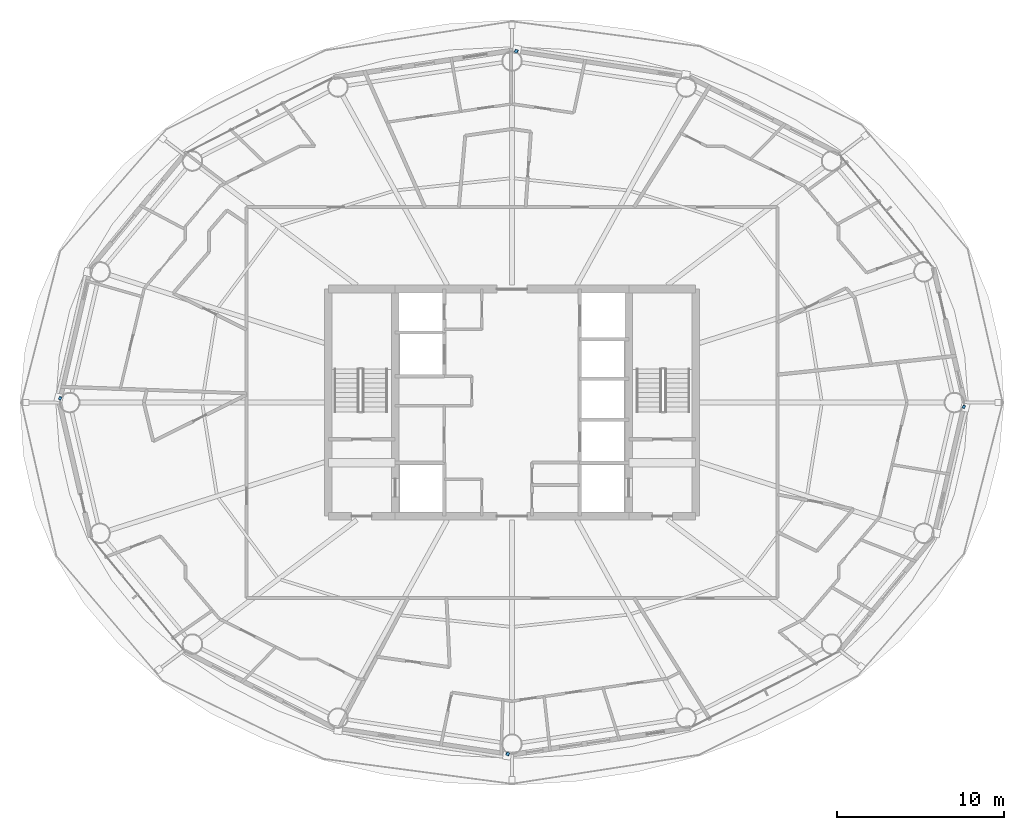
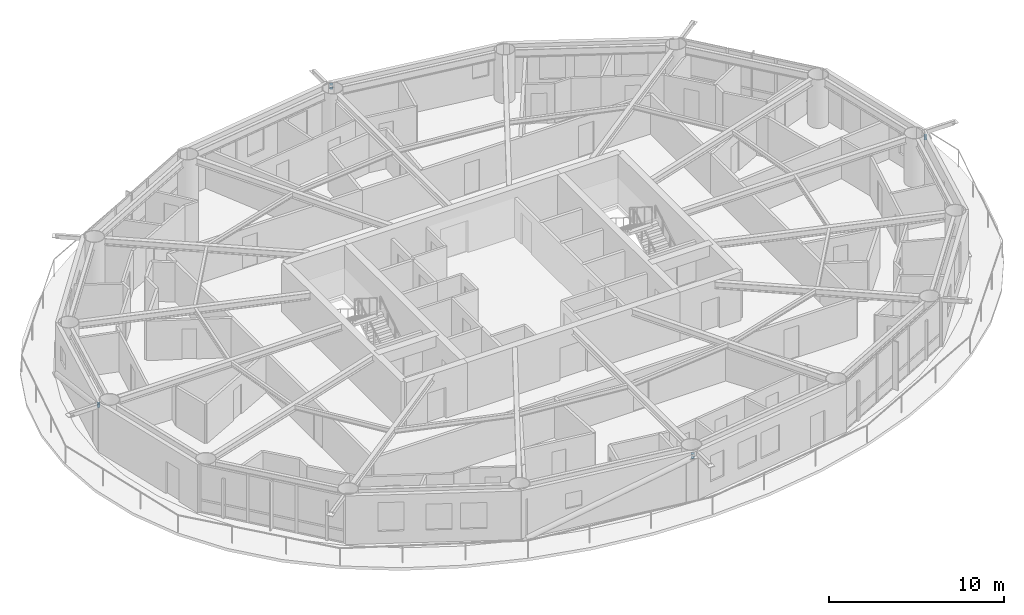
# One storey, part 16 of 28: 4 members.
"""IFC4 building model written with IfcOpenShell, lengths in metres."""

import ifcopenshell
import ifcopenshell.guid

model = None  # the IFC model being written
_history = None  # IfcOwnerHistory: only IFC2X3 demands one
_inside = {}  # id of a spatial element -> (the spatial element, [elements in it])
_under = {}  # id of a project, library or spatial element -> (it, [spatial elements below it])
_declared = {}  # id of a project -> (the project, [libraries it declares])
_typed = {}  # id of a type object -> (the type object, [elements of that type])
_made_of = {}  # id of a material, layer set ... -> (it, [elements and type objects made of it])


def new_model(schema):
    """Start an empty IFC model of exactly this schema.

    Asked for "IFC4X3", IfcOpenShell would pick the latest addendum, in which some entities
    have other attributes; the version numbers below select the first issue.
    IFC2X3 requires an IfcOwnerHistory on every rooted entity: one is made here for all.
    """
    global model, _history
    if schema == "IFC4X3":
        model = ifcopenshell.file(schema_version=(4, 3, 0, 0))
    else:
        model = ifcopenshell.file(schema=schema)
    _inside.clear()
    _under.clear()
    _declared.clear()
    _typed.clear()
    _made_of.clear()
    _history = None
    if model.schema == "IFC2X3":
        org = make("IfcOrganization", Name="unknown")
        user = make(
            "IfcPersonAndOrganization",
            ThePerson=make("IfcPerson", FamilyName="unknown"),
            TheOrganization=org,
        )
        app = make(
            "IfcApplication",
            ApplicationDeveloper=org,
            Version="unknown",
            ApplicationFullName="unknown",
            ApplicationIdentifier="unknown",
        )
        _history = make(
            "IfcOwnerHistory",
            OwningUser=user,
            OwningApplication=app,
            ChangeAction="ADDED",
            CreationDate=0,
        )
    return model


def make(cls, **values):
    """One entity of the class cls with the attributes given. An attribute that is None is left unset."""
    return model.create_entity(
        cls, **{name: value for name, value in values.items() if value is not None}
    )


def rooted(cls, **values):
    """An entity with a GlobalId (a new one), such as an element, a storey or a relation."""
    return make(cls, GlobalId=ifcopenshell.guid.new(), OwnerHistory=_history, **values)


def si_unit(unit_type, name, prefix=None):
    """IfcSIUnit, for example si_unit("LENGTHUNIT", "METRE", prefix="MILLI")."""
    return make("IfcSIUnit", UnitType=unit_type, Prefix=prefix, Name=name)


def assignment(units):
    """IfcUnitAssignment: the units of a project."""
    return None if units is None else make("IfcUnitAssignment", Units=units)


def point(xyz):
    """IfcCartesianPoint."""
    return None if xyz is None else make("IfcCartesianPoint", Coordinates=xyz)


def direction(xyz):
    """IfcDirection."""
    return None if xyz is None else make("IfcDirection", DirectionRatios=xyz)


def frame(location, z_axis=None, x_axis=None):
    """IfcAxis2Placement3D, a coordinate frame: its origin and axes. An axis left out is left unset."""
    return make(
        "IfcAxis2Placement3D",
        Location=point(location),
        Axis=direction(z_axis),
        RefDirection=direction(x_axis),
    )


def frame_2d(location, x_axis=None):
    """IfcAxis2Placement2D, a coordinate frame in the plane: its origin and x axis."""
    return make(
        "IfcAxis2Placement2D", Location=point(location), RefDirection=direction(x_axis)
    )


def origin():
    """The frame at (0, 0, 0) with its axes left unset."""
    return frame((0.0, 0.0, 0.0))


def origin_2d():
    """The frame at (0, 0) in the plane with its x axis left unset."""
    return frame_2d((0.0, 0.0))


def place(relative_to, where):
    """IfcLocalPlacement: puts the frame where relative to a parent placement (None: the world)."""
    return make(
        "IfcLocalPlacement", PlacementRelTo=relative_to, RelativePlacement=where
    )


def context(
    kind, dimensions, precision=None, world=None, true_north=None, identifier=None
):
    """IfcGeometricRepresentationContext, for example the 3D "Model" context."""
    return make(
        "IfcGeometricRepresentationContext",
        ContextIdentifier=identifier,
        ContextType=kind,
        CoordinateSpaceDimension=dimensions,
        Precision=precision,
        WorldCoordinateSystem=world,
        TrueNorth=true_north,
    )


def subcontext(parent, identifier, kind, view, scale=None):
    """IfcGeometricRepresentationSubContext, for example "Body" below "Model"."""
    return make(
        "IfcGeometricRepresentationSubContext",
        ContextIdentifier=identifier,
        ContextType=kind,
        ParentContext=parent,
        TargetScale=scale,
        TargetView=view,
    )


def project(units=None, contexts=None):
    """IfcProject with its units and contexts."""
    return rooted(
        "IfcProject",
        Name="project",
        RepresentationContexts=contexts,
        UnitsInContext=assignment(units),
    )


def spatial(cls, under=None, at=None, **own):
    """A site, building, storey or space (cls), placed at a placement, below another one or the project."""
    s = rooted(cls, ObjectPlacement=at, **own)
    if under is not None:
        _under.setdefault(under.id(), (under, []))[1].append(s)
    return s


def profile(cls, at=None, kind="AREA", **sizes):
    """A parametric profile (cls). Its sizes go by their IFC names, for example OverallWidth=200.0."""
    return make(cls, ProfileType=kind, Position=at, **sizes)


def hollow_rectangle(**sizes):
    """IfcRectangleHollowProfileDef."""
    return profile("IfcRectangleHollowProfileDef", **sizes)


def extrude(swept, where, along, depth):
    """IfcExtrudedAreaSolid: the profile swept, set in the frame where, extruded along a direction by depth."""
    return make(
        "IfcExtrudedAreaSolid",
        SweptArea=swept,
        Position=where,
        ExtrudedDirection=direction(along),
        Depth=depth,
    )


def shape(context_of_items, identifier, shape_type, items):
    """IfcShapeRepresentation: the items that make up one representation, for example the "Body"."""
    return make(
        "IfcShapeRepresentation",
        ContextOfItems=context_of_items,
        RepresentationIdentifier=identifier,
        RepresentationType=shape_type,
        Items=items,
    )


def material(Name=None, Category=None):
    """IfcMaterial."""
    return make("IfcMaterial", Name=Name, Category=Category)


def material_profile(
    of_material, cross_section, Name=None, Category=None, Priority=None
):
    """IfcMaterialProfile: a cross section and its material."""
    return make(
        "IfcMaterialProfile",
        Name=Name,
        Material=of_material,
        Profile=cross_section,
        Priority=Priority,
        Category=Category,
    )


def profile_set(profiles, Name=None, composite=None):
    """IfcMaterialProfileSet."""
    return make(
        "IfcMaterialProfileSet",
        Name=Name,
        MaterialProfiles=profiles,
        CompositeProfile=composite,
    )


def made_of(thing, what):
    """Note that an element or type object is made of a material, layer set ...; save() writes the relation."""
    if what is not None:
        _made_of.setdefault(what.id(), (what, []))[1].append(thing)
    return thing


def type_object(cls, material=None, **own):
    """A type object (cls), such as IfcWallType, which elements share."""
    return made_of(rooted(cls, **own), material)


def element(
    cls,
    number,
    at=None,
    inside=None,
    cuts=None,
    type_object=None,
    material=None,
    context=None,
    identifier="Body",
    shape_type=None,
    held_by="IfcProductDefinitionShape",
    body=None,
    shapes=None,
    **own,
):
    """One element of the class cls, such as IfcWall. Its Tag is "e" and its number.

    at: its placement. inside: the storey or other place that contains it. cuts: it is an
    opening in that element (IfcRelVoidsElement). A single representation is given by context,
    identifier, shape_type and body (its items); several are given by shapes. held_by: the class
    of the entity that holds the representations. save() writes the other relations.
    """
    e = rooted(cls, Tag="e%d" % number, ObjectPlacement=at, **own)
    if body is not None:
        shapes = [shape(context, identifier, shape_type, body)]
    if shapes is not None:
        e.Representation = make(held_by, Representations=shapes)
    if inside is not None:
        _inside.setdefault(inside.id(), (inside, []))[1].append(e)
    if cuts is not None:
        rooted(
            "IfcRelVoidsElement", RelatingBuildingElement=cuts, RelatedOpeningElement=e
        )
    if type_object is not None:
        _typed.setdefault(type_object.id(), (type_object, []))[1].append(e)
    return made_of(e, material)


def aggregate(whole, parts):
    """IfcRelAggregates: a whole, such as a stair, and the parts it consists of."""
    return rooted("IfcRelAggregates", RelatingObject=whole, RelatedObjects=parts)


def save(model, path):
    """Write the relations noted so far, then the file.

    IfcRelAggregates (storeys below a building ...), IfcRelContainedInSpatialStructure (elements
    in a storey), IfcRelDefinesByType, IfcRelAssociatesMaterial and IfcRelDeclares: one each for
    every whole, place, type object, material and project.
    """
    for whole, parts in _under.values():
        aggregate(whole, parts)
    for where, things in _inside.values():
        rooted(
            "IfcRelContainedInSpatialStructure",
            RelatedElements=things,
            RelatingStructure=where,
        )
    for kind, things in _typed.values():
        rooted("IfcRelDefinesByType", RelatedObjects=things, RelatingType=kind)
    for what, things in _made_of.values():
        rooted("IfcRelAssociatesMaterial", RelatedObjects=things, RelatingMaterial=what)
    for by, libraries in _declared.values():
        rooted("IfcRelDeclares", RelatingContext=by, RelatedDefinitions=libraries)
    model.write(path)


model = new_model("IFC4")

# Units and contexts
model_context = context("Model", 3, precision=1e-05, world=origin(), true_north=direction((0.0, 1.0)))
body_context = subcontext(model_context, "Body", "Model", "MODEL_VIEW")
ifc_project = project(units=[si_unit("LENGTHUNIT", "METRE"), si_unit("AREAUNIT", "SQUARE_METRE"), si_unit("VOLUMEUNIT", "CUBIC_METRE"), si_unit("PLANEANGLEUNIT", "RADIAN"), si_unit("MASSUNIT", "GRAM", prefix="KILO")], contexts=[model_context])

# Site, building, storey
site_placement = place(None, origin())
site = spatial("IfcSite", under=ifc_project, at=site_placement, CompositionType="ELEMENT")
building_placement = place(site_placement, origin())
building = spatial("IfcBuilding", under=site, at=building_placement, Name="Sarneth Arch Tower", CompositionType="ELEMENT")
storey_placement = place(building_placement, frame((0.0, 0.0, 190.199951171875)))
storey = spatial("IfcBuildingStorey", under=building, at=storey_placement, Name="L48", CompositionType="ELEMENT", Elevation=190.199951171875)

# Members
ifc_material = material(Name="Steel S355", Category="steel")
ifc_material_profile = material_profile(ifc_material, hollow_rectangle(XDim=0.199951171875, YDim=0.300048828125, WallThickness=0.012451171875, InnerFilletRadius=0.018798828125, OuterFilletRadius=0.03125, at=origin_2d()), Name="RHS300x200x12.5")
ifc_profile_set = profile_set([ifc_material_profile], Name="Steel S355")
member_type = type_object("IfcMemberType", Name="MEM-CANT-STRUT", PredefinedType="STRUT", material=ifc_profile_set)
member_1_placement = place(storey_placement, frame((48.214599609375, 62.945556640625, 3.050537109375), z_axis=(0.396911150685, 0.91785703596, 0.0), x_axis=(-0.91785703596, 0.396911150685, 0.0)))
element("IfcMember", 1, at=member_1_placement, inside=storey, type_object=member_type, Name="L48 Exoskeleton brace node strut 04B", PredefinedType="STRUT", context=body_context, shape_type="SweptSolid", body=[
    extrude(hollow_rectangle(XDim=0.199951171875, YDim=0.300048828125, WallThickness=0.012451171875, InnerFilletRadius=0.018798828125, OuterFilletRadius=0.03125, at=origin_2d()), origin(), (0.0, 0.0, 1.0), 0.206787109375),
])
member_2_placement = place(storey_placement, frame((21.021484375, 42.223876953125, 3.050537109375), z_axis=(-0.910366477463, 0.413802944301, 0.0), x_axis=(-0.413802944301, -0.910366477463, 0.0)))
element("IfcMember", 2, at=member_2_placement, inside=storey, type_object=member_type, Name="L48 Exoskeleton brace node strut 08B", PredefinedType="STRUT", context=body_context, shape_type="SweptSolid", body=[
    extrude(hollow_rectangle(XDim=0.199951171875, YDim=0.300048828125, WallThickness=0.012451171875, InnerFilletRadius=0.018798828125, OuterFilletRadius=0.03125, at=origin_2d()), origin(), (0.0, 0.0, 1.0), 0.165283203125),
])
member_3_placement = place(storey_placement, frame((47.785400390625, 21.054443359375, 3.050537109375), z_axis=(-0.396911150685, -0.91785703596, 0.0), x_axis=(0.91785703596, -0.396911150685, 0.0)))
element("IfcMember", 3, at=member_3_placement, inside=storey, type_object=member_type, Name="L48 Exoskeleton brace node strut 12B", PredefinedType="STRUT", context=body_context, shape_type="SweptSolid", body=[
    extrude(hollow_rectangle(XDim=0.199951171875, YDim=0.300048828125, WallThickness=0.012451171875, InnerFilletRadius=0.018798828125, OuterFilletRadius=0.03125, at=origin_2d()), origin(), (0.0, 0.0, 1.0), 0.206787109375),
])
member_4_placement = place(storey_placement, frame((74.978515625, 41.776123046875, 3.050537109375), z_axis=(0.910366477463, -0.413802944301, 0.0), x_axis=(0.413802944301, 0.910366477463, 0.0)))
element("IfcMember", 4, at=member_4_placement, inside=storey, type_object=member_type, Name="L48 Exoskeleton brace node strut 16B", PredefinedType="STRUT", context=body_context, shape_type="SweptSolid", body=[
    extrude(hollow_rectangle(XDim=0.199951171875, YDim=0.300048828125, WallThickness=0.012451171875, InnerFilletRadius=0.018798828125, OuterFilletRadius=0.03125, at=origin_2d()), origin(), (0.0, 0.0, 1.0), 0.165283203125),
])

save(model, "model.ifc")
